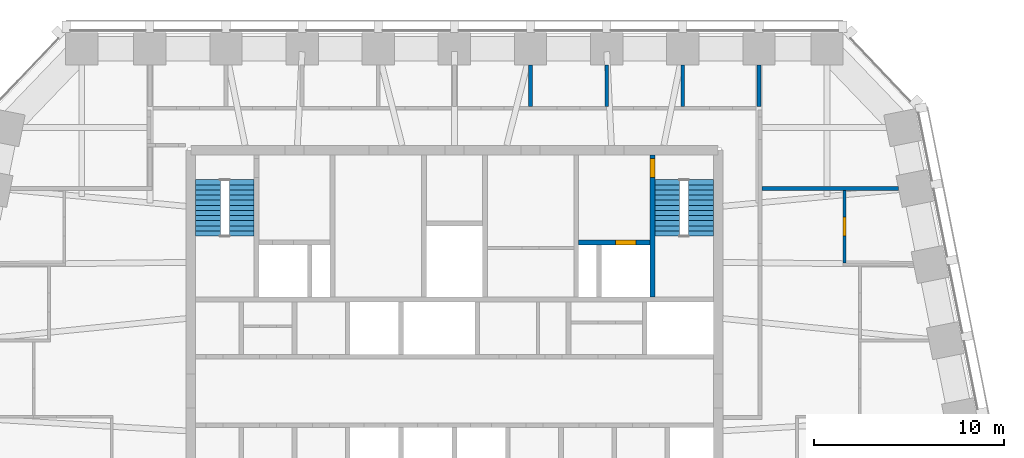
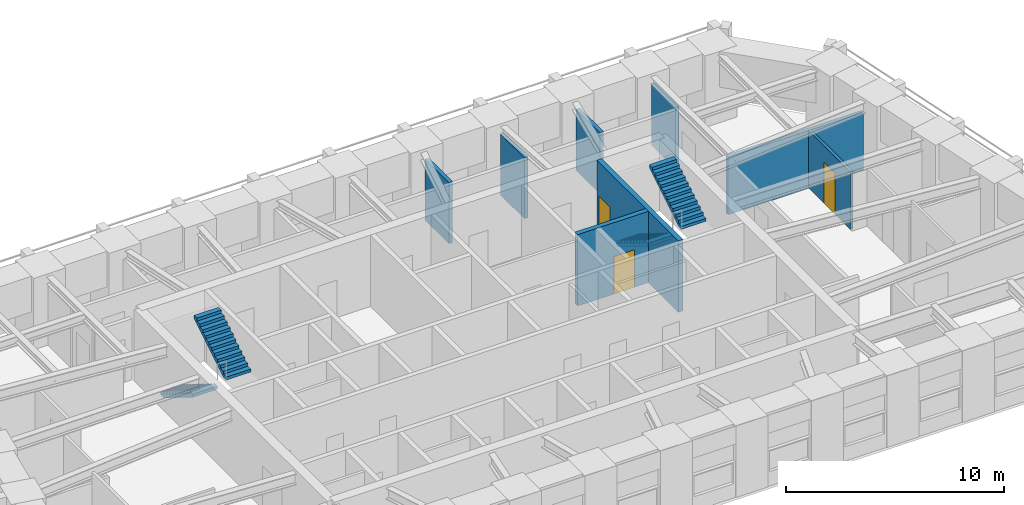
# One storey, part 7 of 9: 8 walls, 4 stair flights, 3 doors, 3 openings, 2 elements without a shape of their own.
"""IFC4 building model written with IfcOpenShell, lengths in metres."""

from ifc_helpers import new_model, si_unit, direction, frame, frame_2d, origin, place, context, subcontext, project, spatial, polyline, rectangle, outline, extrude, material, layer, layer_set, type_object, element, fill, aggregate, save


model = new_model("IFC4")

# Units and contexts
model_context = context("Model", 3, precision=1e-05, world=origin(), true_north=direction((0.0, 1.0)))
body_context = subcontext(model_context, "Body", "Model", "MODEL_VIEW")
ifc_project = project(units=[si_unit("LENGTHUNIT", "METRE"), si_unit("AREAUNIT", "SQUARE_METRE"), si_unit("VOLUMEUNIT", "CUBIC_METRE"), si_unit("PLANEANGLEUNIT", "RADIAN"), si_unit("MASSUNIT", "GRAM", prefix="KILO")], contexts=[model_context])

# Site, building, storey
site_placement = place(None, origin())
site = spatial("IfcSite", under=ifc_project, at=site_placement, CompositionType="ELEMENT")
building_placement = place(site_placement, origin())
building = spatial("IfcBuilding", under=site, at=building_placement, Name="Isbrekke Arena Tower", CompositionType="ELEMENT")
storey_placement = place(building_placement, frame((0.0, 0.0, 316.0)))
storey = spatial("IfcBuildingStorey", under=building, at=storey_placement, Name="L74", CompositionType="ELEMENT", Elevation=316.0)

# Wall, opening, door
ifc_material_1 = material(Name="Concrete B45 (C45/55)", Category="concrete")
ifc_layer_1 = layer(ifc_material_1, 0.25)
ifc_layer_set_1 = layer_set([ifc_layer_1], Name="CW6 SHAFT WALL 250")
wall_type_1 = type_object("IfcWallType", Name="CW6 SHAFT WALL 250", PredefinedType="SHEAR", material=ifc_layer_set_1)
wall_1_placement = place(storey_placement, frame((10.39990234375, 16.125, 0.0), z_axis=(0.0, 0.0, 1.0), x_axis=(0.0, 1.0, 0.0)))
wall_1 = element("IfcWall", 1, at=wall_1_placement, inside=storey, type_object=wall_type_1, Name="Core wall NV06 L74", PredefinedType="SHEAR", context=body_context, shape_type="SweptSolid", body=[
    extrude(rectangle(XDim=7.47509765625, YDim=0.25, at=frame_2d((3.737548828125, 0.0))), origin(), (0.0, 0.0, 1.0), 4.0),
])
opening_1_placement = place(wall_1_placement, frame((6.27490234375, 0.0, 0.0)))
opening_1 = element("IfcOpeningElement", 2, at=opening_1_placement, cuts=wall_1, Name="Opening D2", PredefinedType="OPENING", context=body_context, shape_type="SweptSolid", body=[
    extrude(rectangle(XDim=1.0, YDim=2.10009765625, at=frame_2d((0.5, 1.050048828125))), frame((0.0, 0.139892578125, 0.0), z_axis=(0.0, -1.0, 0.0), x_axis=(1.0, 0.0, 0.0)), (0.0, 0.0, 1.0), 0.27978515625),
])
ifc_material_2 = material(Name="Steel fire door", Category="steel")
door_type_1 = type_object("IfcDoorType", Name="D2 STAIR DOOR 1000 x 2100", OperationType="SINGLE_SWING_LEFT", PredefinedType="DOOR", material=ifc_material_2)
door_1_placement = place(opening_1_placement, origin())
door_1 = element("IfcDoor", 3, at=door_1_placement, inside=storey, type_object=door_type_1, Name="D2 stair door ST2 L74", OperationType="SINGLE_SWING_LEFT", OverallHeight=2.10009765625, OverallWidth=1.0, PredefinedType="DOOR", context=body_context, shape_type="SweptSolid", body=[
    extrude(rectangle(XDim=1.0, YDim=2.10009765625, at=frame_2d((0.5, 1.050048828125))), frame((0.0, 0.124755859375, 0.0), z_axis=(0.0, -1.0, 0.0), x_axis=(1.0, 0.0, 0.0)), (0.0, 0.0, 1.0), 0.24951171875),
])
fill(opening_1, door_1)

wall_2_placement = place(storey_placement, frame((6.52490234375, 19.0, 0.0), z_axis=(0.0, 0.0, 1.0), x_axis=(1.0, 0.0, 0.0)))
wall_2 = element("IfcWall", 4, at=wall_2_placement, inside=storey, type_object=wall_type_1, Name="Core wall NFE L74", PredefinedType="SHEAR", context=body_context, shape_type="SweptSolid", body=[
    extrude(rectangle(XDim=3.75, YDim=0.25, at=frame_2d((1.875, 0.0))), origin(), (0.0, 0.0, 1.0), 4.0),
])
opening_2_placement = place(wall_2_placement, frame((1.925048828125, 0.0, 0.0)))
opening_2 = element("IfcOpeningElement", 5, at=opening_2_placement, cuts=wall_2, Name="Opening LD2", PredefinedType="OPENING", context=body_context, shape_type="SweptSolid", body=[
    extrude(rectangle(XDim=1.10009765625, YDim=2.10009765625, at=frame_2d((0.550048828125, 1.050048828125))), frame((0.0, 0.139892578125, 0.0), z_axis=(0.0, -1.0, 0.0), x_axis=(1.0, 0.0, 0.0)), (0.0, 0.0, 1.0), 0.27978515625),
])
ifc_material_3 = material(Name="Stainless steel lift landing door", Category="steel")
door_type_2 = type_object("IfcDoorType", Name="LD2 FIRE-FIGHTING LIFT LANDING DOOR 1100 x 2100", OperationType="SLIDING_TO_RIGHT", PredefinedType="DOOR", material=ifc_material_3)
door_2_placement = place(opening_2_placement, origin())
door_2 = element("IfcDoor", 6, at=door_2_placement, inside=storey, type_object=door_type_2, Name="LD2 lift landing door LF L74", OperationType="SLIDING_TO_RIGHT", OverallHeight=2.10009765625, OverallWidth=1.10009765625, PredefinedType="DOOR", context=body_context, shape_type="SweptSolid", body=[
    extrude(rectangle(XDim=1.10009765625, YDim=2.10009765625, at=frame_2d((0.550048828125, 1.050048828125))), frame((0.0, 0.124755859375, 0.0), z_axis=(0.0, -1.0, 0.0), x_axis=(1.0, 0.0, 0.0)), (0.0, 0.0, 1.0), 0.24951171875),
])
fill(opening_2, door_2)

ifc_material_4 = material(Name="Gypsum board partition on steel studs", Category="steel")
ifc_layer_2 = layer(ifc_material_4, 0.14990234375)
ifc_layer_set_2 = layer_set([ifc_layer_2], Name="IW1 PARTITION 150")
wall_type_2 = type_object("IfcWallType", Name="IW1 PARTITION 150", PredefinedType="PARTITIONING", material=ifc_layer_set_2)
wall_3_placement = place(storey_placement, frame((20.5, 17.9150390625, 0.0), z_axis=(0.0, 0.0, 1.0), x_axis=(0.0, 1.0, 0.0)))
wall_3 = element("IfcWall", 7, at=wall_3_placement, inside=storey, type_object=wall_type_2, Name="IW1 partition 150 L74", PredefinedType="PARTITIONING", context=body_context, shape_type="SweptSolid", body=[
    extrude(rectangle(XDim=3.824951171875, YDim=0.14990234375, at=frame_2d((1.91259765625, 0.0))), origin(), (0.0, 0.0, 1.0), 3.22998046875),
])
opening_3_placement = place(wall_3_placement, frame((1.425048828125, 0.0, 0.0)))
opening_3 = element("IfcOpeningElement", 8, at=opening_3_placement, cuts=wall_3, Name="Opening D10", PredefinedType="OPENING", context=body_context, shape_type="SweptSolid", body=[
    extrude(rectangle(XDim=1.0, YDim=2.300048828125, at=frame_2d((0.5, 1.14990234375))), frame((0.0, 0.08984375, 0.0), z_axis=(0.0, -1.0, 0.0), x_axis=(1.0, 0.0, 0.0)), (0.0, 0.0, 1.0), 0.1796875),
])
ifc_material_5 = material(Name="Timber door", Category="wood")
door_type_3 = type_object("IfcDoorType", Name="D10 OFFICE DOOR 1000 x 2300", OperationType="SINGLE_SWING_LEFT", PredefinedType="DOOR", material=ifc_material_5)
door_3_placement = place(opening_3_placement, origin())
door_3 = element("IfcDoor", 9, at=door_3_placement, inside=storey, type_object=door_type_3, Name="D10 executive office door L74", OperationType="SINGLE_SWING_LEFT", OverallHeight=2.300048828125, OverallWidth=1.0, PredefinedType="DOOR", context=body_context, shape_type="SweptSolid", body=[
    extrude(rectangle(XDim=1.0, YDim=2.300048828125, at=frame_2d((0.5, 1.14990234375))), frame((0.0, 0.07470703125, 0.0), z_axis=(0.0, -1.0, 0.0), x_axis=(1.0, 0.0, 0.0)), (0.0, 0.0, 1.0), 0.1494140625),
])
fill(opening_3, door_3)

# Walls
ifc_material_6 = material(Name="Gypsum board fire-cell wall on steel studs, two layers each side", Category="steel")
ifc_layer_3 = layer(ifc_material_6, 0.199951171875)
ifc_layer_set_3 = layer_set([ifc_layer_3], Name="IW3 FIRE-CELL WALL 200")
wall_type_3 = type_object("IfcWallType", Name="IW3 FIRE-CELL WALL 200", PredefinedType="PARTITIONING", material=ifc_layer_set_3)
wall_4_placement = place(storey_placement, frame((16.14990234375, 21.840087890625, 0.0), z_axis=(0.0, 0.0, 1.0), x_axis=(1.0, 0.0, 0.0)))
element("IfcWall", 10, at=wall_4_placement, inside=storey, type_object=wall_type_3, Name="IW3 fire-cell wall 200 L74", PredefinedType="PARTITIONING", context=body_context, shape_type="SweptSolid", body=[
    extrude(rectangle(XDim=7.173828125, YDim=0.199951171875, at=frame_2d((3.5869140625, 0.0))), origin(), (0.0, 0.0, 1.0), 3.22998046875),
])
for number, where, z_axis, x_axis, name in (
    (11, (4.0, 26.14990234375, 0.0), (0.0, 0.0, 1.0), (0.0, 1.0, 0.0), "IW3 fire-cell wall 200 L74"),
    (12, (8.0, 26.14990234375, 0.0), (0.0, 0.0, 1.0), (0.0, 1.0, 0.0), "IW3 fire-cell wall 200 L74"),
    (13, (12.0, 26.14990234375, 0.0), (0.0, 0.0, 1.0), (0.0, 1.0, 0.0), "IW3 fire-cell wall 200 L74"),
    (14, (16.0, 26.14990234375, 0.0), (0.0, 0.0, 1.0), (0.0, 1.0, 0.0), "IW3 fire-cell wall 200 L74"),
):
    element("IfcWall", number, at=place(storey_placement, frame(where, z_axis=z_axis, x_axis=x_axis)), inside=storey, type_object=wall_type_3, Name=name, PredefinedType="PARTITIONING", context=body_context, shape_type="SweptSolid", body=[
        extrude(rectangle(XDim=2.175048828125, YDim=0.199951171875, at=frame_2d((1.08740234375, 0.0))), origin(), (0.0, 0.0, 1.0), 3.41796875),
    ])

# Stair, stair flights
ifc_material_7 = material(Name="Concrete B45 (C45/55) precast", Category="concrete")
stair_type = type_object("IfcStairType", Name="ST40 STAIR 1300 WIDE, 24 RISERS 167", PredefinedType="HALF_TURN_STAIR", material=ifc_material_7)
stair_1_placement = place(storey_placement, origin())
stair_1 = element("IfcStair", 15, at=stair_1_placement, inside=storey, type_object=stair_type, Name="ST1 stair L74", PredefinedType="HALF_TURN_STAIR")
ifc_material_8 = material(Name="Concrete B45 (C45/55) precast", Category="concrete")
stair_flight_type = type_object("IfcStairFlightType", Name="SF 1300 FLIGHT", PredefinedType="STRAIGHT", material=ifc_material_8)
stair_flight_1_placement = place(storey_placement, frame((-12.949951171875, 22.300048828125, 0.0), z_axis=(0.0, 0.0, 1.0), x_axis=(0.0, -1.0, 0.0)))
stair_flight_1 = element("IfcStairFlight", 16, at=stair_flight_1_placement, type_object=stair_flight_type, Name="ST1 flight 1", NumberOfRisers=12, NumberOfTreads=11, PredefinedType="STRAIGHT", RiserHeight=0.166666667, TreadLength=0.27, context=body_context, shape_type="SweptSolid", body=[
    extrude(outline(polyline([(0.0, 0.0), (0.0, 0.166748046875), (0.27001953125, 0.166748046875), (0.27001953125, 0.333251953125), (0.5400390625, 0.333251953125), (0.5400390625, 0.5), (0.81005859375, 0.5), (0.81005859375, 0.666748046875), (1.080078125, 0.666748046875), (1.080078125, 0.833251953125), (1.35009765625, 0.833251953125), (1.35009765625, 1.0), (1.6201171875, 1.0), (1.6201171875, 1.166748046875), (1.889892578125, 1.166748046875), (1.889892578125, 1.333251953125), (2.159912109375, 1.333251953125), (2.159912109375, 1.5), (2.429931640625, 1.5), (2.429931640625, 1.666748046875), (2.699951171875, 1.666748046875), (2.699951171875, 1.833251953125), (2.969970703125, 1.833251953125), (2.969970703125, 2.0), (2.969970703125, 1.6572265625), (0.285400390625, 0.0), (0.0, 0.0)])), frame((0.0, 0.64990234375, 0.0), z_axis=(0.0, -1.0, 0.0), x_axis=(1.0, 0.0, 0.0)), (0.0, 0.0, 1.0), 1.300048828125),
])
stair_flight_2_placement = place(storey_placement, frame((-11.175048828125, 19.330078125, 2.0), z_axis=(0.0, 0.0, 1.0), x_axis=(0.0, 1.0, 0.0)))
stair_flight_2 = element("IfcStairFlight", 17, at=stair_flight_2_placement, type_object=stair_flight_type, Name="ST1 flight 2", NumberOfRisers=12, NumberOfTreads=11, PredefinedType="STRAIGHT", RiserHeight=0.166666667, TreadLength=0.27, context=body_context, shape_type="SweptSolid", body=[
    extrude(outline(polyline([(0.0, 0.0), (0.0, 0.166748046875), (0.27001953125, 0.166748046875), (0.27001953125, 0.333251953125), (0.5400390625, 0.333251953125), (0.5400390625, 0.5), (0.81005859375, 0.5), (0.81005859375, 0.666748046875), (1.080078125, 0.666748046875), (1.080078125, 0.833251953125), (1.35009765625, 0.833251953125), (1.35009765625, 1.0), (1.6201171875, 1.0), (1.6201171875, 1.166748046875), (1.889892578125, 1.166748046875), (1.889892578125, 1.333251953125), (2.159912109375, 1.333251953125), (2.159912109375, 1.5), (2.429931640625, 1.5), (2.429931640625, 1.666748046875), (2.699951171875, 1.666748046875), (2.699951171875, 1.833251953125), (2.969970703125, 1.833251953125), (2.969970703125, 2.0), (2.969970703125, 1.6572265625), (0.285400390625, 0.0), (0.0, 0.0)])), frame((0.0, 0.64990234375, 0.0), z_axis=(0.0, -1.0, 0.0), x_axis=(1.0, 0.0, 0.0)), (0.0, 0.0, 1.0), 1.300048828125),
])
aggregate(stair_1, [stair_flight_1, stair_flight_2])

stair_2_placement = place(storey_placement, origin())
stair_2 = element("IfcStair", 18, at=stair_2_placement, inside=storey, type_object=stair_type, Name="ST2 stair L74", PredefinedType="HALF_TURN_STAIR")
stair_flight_3_placement = place(storey_placement, frame((11.175048828125, 22.300048828125, 0.0), z_axis=(0.0, 0.0, 1.0), x_axis=(0.0, -1.0, 0.0)))
stair_flight_3 = element("IfcStairFlight", 19, at=stair_flight_3_placement, type_object=stair_flight_type, Name="ST2 flight 1", NumberOfRisers=12, NumberOfTreads=11, PredefinedType="STRAIGHT", RiserHeight=0.166666667, TreadLength=0.27, context=body_context, shape_type="SweptSolid", body=[
    extrude(outline(polyline([(0.0, 0.0), (0.0, 0.166748046875), (0.27001953125, 0.166748046875), (0.27001953125, 0.333251953125), (0.5400390625, 0.333251953125), (0.5400390625, 0.5), (0.81005859375, 0.5), (0.81005859375, 0.666748046875), (1.080078125, 0.666748046875), (1.080078125, 0.833251953125), (1.35009765625, 0.833251953125), (1.35009765625, 1.0), (1.6201171875, 1.0), (1.6201171875, 1.166748046875), (1.889892578125, 1.166748046875), (1.889892578125, 1.333251953125), (2.159912109375, 1.333251953125), (2.159912109375, 1.5), (2.429931640625, 1.5), (2.429931640625, 1.666748046875), (2.699951171875, 1.666748046875), (2.699951171875, 1.833251953125), (2.969970703125, 1.833251953125), (2.969970703125, 2.0), (2.969970703125, 1.6572265625), (0.285400390625, 0.0), (0.0, 0.0)])), frame((0.0, 0.64990234375, 0.0), z_axis=(0.0, -1.0, 0.0), x_axis=(1.0, 0.0, 0.0)), (0.0, 0.0, 1.0), 1.300048828125),
])
stair_flight_4_placement = place(storey_placement, frame((12.949951171875, 19.330078125, 2.0), z_axis=(0.0, 0.0, 1.0), x_axis=(0.0, 1.0, 0.0)))
stair_flight_4 = element("IfcStairFlight", 20, at=stair_flight_4_placement, type_object=stair_flight_type, Name="ST2 flight 2", NumberOfRisers=12, NumberOfTreads=11, PredefinedType="STRAIGHT", RiserHeight=0.166666667, TreadLength=0.27, context=body_context, shape_type="SweptSolid", body=[
    extrude(outline(polyline([(0.0, 0.0), (0.0, 0.166748046875), (0.27001953125, 0.166748046875), (0.27001953125, 0.333251953125), (0.5400390625, 0.333251953125), (0.5400390625, 0.5), (0.81005859375, 0.5), (0.81005859375, 0.666748046875), (1.080078125, 0.666748046875), (1.080078125, 0.833251953125), (1.35009765625, 0.833251953125), (1.35009765625, 1.0), (1.6201171875, 1.0), (1.6201171875, 1.166748046875), (1.889892578125, 1.166748046875), (1.889892578125, 1.333251953125), (2.159912109375, 1.333251953125), (2.159912109375, 1.5), (2.429931640625, 1.5), (2.429931640625, 1.666748046875), (2.699951171875, 1.666748046875), (2.699951171875, 1.833251953125), (2.969970703125, 1.833251953125), (2.969970703125, 2.0), (2.969970703125, 1.6572265625), (0.285400390625, 0.0), (0.0, 0.0)])), frame((0.0, 0.64990234375, 0.0), z_axis=(0.0, -1.0, 0.0), x_axis=(1.0, 0.0, 0.0)), (0.0, 0.0, 1.0), 1.300048828125),
])
aggregate(stair_2, [stair_flight_3, stair_flight_4])

save(model, "model.ifc")
